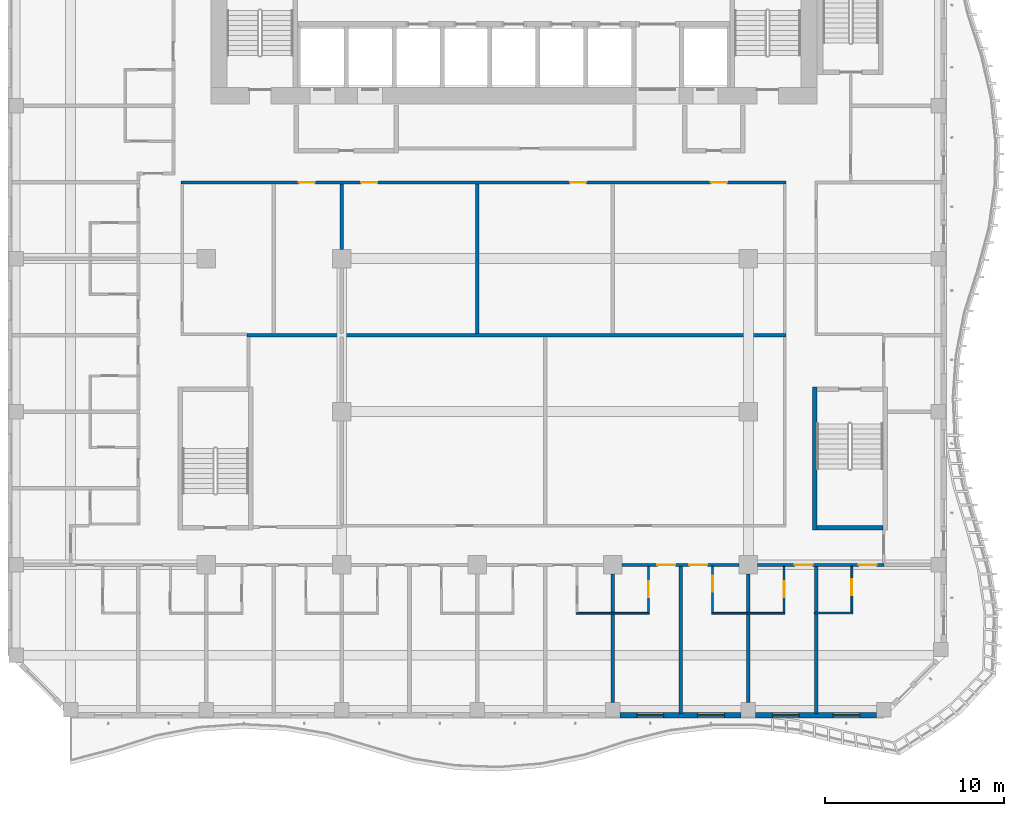
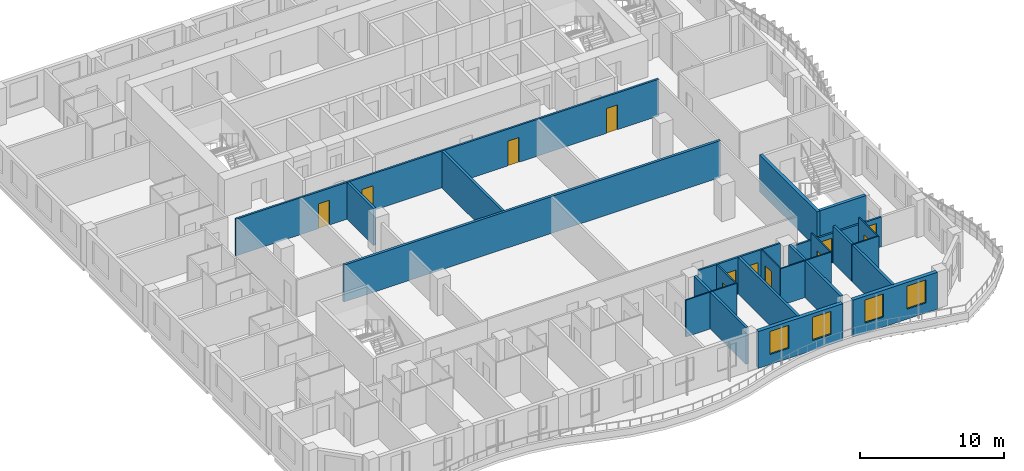
# One storey, part 5 of 24: 24 walls, 12 doors, 4 windows, 16 openings.
"""IFC4 building model written with IfcOpenShell, lengths in metres."""

from ifc_helpers import new_model, si_unit, direction, frame, frame_2d, origin, place, context, subcontext, project, spatial, rectangle, extrude, source, transform, mapped, material, layer, layer_set, type_object, element, fill, save


model = new_model("IFC4")

# Units and contexts
model_context = context("Model", 3, precision=1e-05, world=origin(), true_north=direction((0.0, 1.0)))
body_context = subcontext(model_context, "Body", "Model", "MODEL_VIEW")
ifc_project = project(units=[si_unit("LENGTHUNIT", "METRE"), si_unit("AREAUNIT", "SQUARE_METRE"), si_unit("VOLUMEUNIT", "CUBIC_METRE"), si_unit("PLANEANGLEUNIT", "RADIAN"), si_unit("MASSUNIT", "GRAM", prefix="KILO")], contexts=[model_context])

# Site, building, storey
site_placement = place(None, origin())
site = spatial("IfcSite", under=ifc_project, at=site_placement, CompositionType="ELEMENT")
building_placement = place(site_placement, origin())
building = spatial("IfcBuilding", under=site, at=building_placement, Name="Kilnfold Tower and Market Hall", CompositionType="ELEMENT")
storey_placement = place(building_placement, frame((0.0, 0.0, 175.300048828125)))
storey = spatial("IfcBuildingStorey", under=building, at=storey_placement, Name="L41", CompositionType="ELEMENT", Elevation=175.300048828125)

# Wall, openings, doors
ifc_material_1 = material(Name="Gypsum board on steel studs", Category="steel")
ifc_layer_1 = layer(ifc_material_1, 0.14990234375)
ifc_layer_set_1 = layer_set([ifc_layer_1], Name="Gypsum board on steel studs")
wall_type_1 = type_object("IfcWallType", Name="WALL CORRIDOR 150", PredefinedType="PARTITIONING", material=ifc_layer_set_1)
wall_1_placement = place(storey_placement, frame((7.10791015625, -17.699951171875, 0.0), z_axis=(0.0, 0.0, 1.0), x_axis=(1.0, 0.0, 0.0)))
wall_1 = element("IfcWall", 1, at=wall_1_placement, inside=storey, type_object=wall_type_1, Name="Partition LY26.5", PredefinedType="PARTITIONING", context=body_context, shape_type="SweptSolid", body=[
    extrude(rectangle(XDim=6.5341796875, YDim=0.14990234375, at=frame_2d((3.26708984375, 0.0))), origin(), (0.0, 0.0, 1.0), 3.119873046875),
])
opening_1_placement = place(wall_1_placement, frame((1.97412109375, 0.0, 0.0)))
opening_1 = element("IfcOpeningElement", 2, at=opening_1_placement, cuts=wall_1, Name="Opening D1", PredefinedType="OPENING", context=body_context, shape_type="SweptSolid", body=[
    extrude(rectangle(XDim=1.0, YDim=2.10009765625, at=frame_2d((0.5, 1.050048828125))), frame((0.0, 0.0849609375, 0.0), z_axis=(0.0, -1.0, 0.0), x_axis=(1.0, 0.0, 0.0)), (0.0, 0.0, 1.0), 0.169921875),
])
opening_2_placement = place(wall_1_placement, frame((3.76611328125, 0.0, 0.0)))
opening_2 = element("IfcOpeningElement", 3, at=opening_2_placement, cuts=wall_1, Name="Opening D1", PredefinedType="OPENING", context=body_context, shape_type="SweptSolid", body=[
    extrude(rectangle(XDim=1.0, YDim=2.10009765625, at=frame_2d((0.5, 1.050048828125))), frame((0.0, 0.0849609375, 0.0), z_axis=(0.0, -1.0, 0.0), x_axis=(1.0, 0.0, 0.0)), (0.0, 0.0, 1.0), 0.169921875),
])
ifc_material_2 = material(Name="Timber veneer door leaf in steel frame", Category="steel")
door_type_1 = type_object("IfcDoorType", Name="DOOR ENTRY 1000 X2100", OperationType="NOTDEFINED", PredefinedType="DOOR", material=ifc_material_2)
door_1_placement = place(opening_1_placement, origin())
door_1 = element("IfcDoor", 4, at=door_1_placement, inside=storey, type_object=door_type_1, Name="Door D1", OperationType="SINGLE_SWING_RIGHT", OverallHeight=2.10009765625, OverallWidth=1.0, PredefinedType="DOOR", context=body_context, shape_type="SweptSolid", body=[
    extrude(rectangle(XDim=1.0, YDim=2.10009765625, at=frame_2d((0.5, 1.050048828125))), frame((0.0, 0.02490234375, 0.0), z_axis=(0.0, -1.0, 0.0), x_axis=(1.0, 0.0, 0.0)), (0.0, 0.0, 1.0), 0.050048828125),
])
fill(opening_1, door_1)
door_2_placement = place(opening_2_placement, origin())
door_2 = element("IfcDoor", 5, at=door_2_placement, inside=storey, type_object=door_type_1, Name="Door D1", OperationType="SINGLE_SWING_RIGHT", OverallHeight=2.10009765625, OverallWidth=1.0, PredefinedType="DOOR", context=body_context, shape_type="SweptSolid", body=[
    extrude(rectangle(XDim=1.0, YDim=2.10009765625, at=frame_2d((0.5, 1.050048828125))), frame((0.0, 0.02490234375, 0.0), z_axis=(0.0, -1.0, 0.0), x_axis=(1.0, 0.0, 0.0)), (0.0, 0.0, 1.0), 0.050048828125),
])
fill(opening_2, door_2)

wall_2_placement = place(storey_placement, frame((14.69189453125, -17.699951171875, 0.0), z_axis=(0.0, 0.0, 1.0), x_axis=(1.0, 0.0, 0.0)))
wall_2 = element("IfcWall", 6, at=wall_2_placement, inside=storey, type_object=wall_type_1, Name="Partition LY26.6", PredefinedType="PARTITIONING", context=body_context, shape_type="SweptSolid", body=[
    extrude(rectangle(XDim=7.05810546875, YDim=0.14990234375, at=frame_2d((3.529052734375, 0.0))), origin(), (0.0, 0.0, 1.0), 2.52001953125),
])
opening_3_placement = place(wall_2_placement, frame((2.076904296875, 0.0, 0.0)))
opening_3 = element("IfcOpeningElement", 7, at=opening_3_placement, cuts=wall_2, Name="Opening D1", PredefinedType="OPENING", context=body_context, shape_type="SweptSolid", body=[
    extrude(rectangle(XDim=1.0, YDim=2.10009765625, at=frame_2d((0.5, 1.050048828125))), frame((0.0, 0.0849609375, 0.0), z_axis=(0.0, -1.0, 0.0), x_axis=(1.0, 0.0, 0.0)), (0.0, 0.0, 1.0), 0.169921875),
])
opening_4_placement = place(wall_2_placement, frame((5.656982421875, 0.0, 0.0)))
opening_4 = element("IfcOpeningElement", 8, at=opening_4_placement, cuts=wall_2, Name="Opening D1", PredefinedType="OPENING", context=body_context, shape_type="SweptSolid", body=[
    extrude(rectangle(XDim=1.0, YDim=2.10009765625, at=frame_2d((0.5, 1.050048828125))), frame((0.0, 0.0849609375, 0.0), z_axis=(0.0, -1.0, 0.0), x_axis=(1.0, 0.0, 0.0)), (0.0, 0.0, 1.0), 0.169921875),
])
door_3_placement = place(opening_3_placement, origin())
door_3 = element("IfcDoor", 9, at=door_3_placement, inside=storey, type_object=door_type_1, Name="Door D1", OperationType="SINGLE_SWING_LEFT", OverallHeight=2.10009765625, OverallWidth=1.0, PredefinedType="DOOR", context=body_context, shape_type="SweptSolid", body=[
    extrude(rectangle(XDim=1.0, YDim=2.10009765625, at=frame_2d((0.5, 1.050048828125))), frame((0.0, 0.02490234375, 0.0), z_axis=(0.0, -1.0, 0.0), x_axis=(1.0, 0.0, 0.0)), (0.0, 0.0, 1.0), 0.050048828125),
])
fill(opening_3, door_3)
door_4_placement = place(opening_4_placement, origin())
door_4 = element("IfcDoor", 10, at=door_4_placement, inside=storey, type_object=door_type_1, Name="Door D1", OperationType="SINGLE_SWING_LEFT", OverallHeight=2.10009765625, OverallWidth=1.0, PredefinedType="DOOR", context=body_context, shape_type="SweptSolid", body=[
    extrude(rectangle(XDim=1.0, YDim=2.10009765625, at=frame_2d((0.5, 1.050048828125))), frame((0.0, 0.02490234375, 0.0), z_axis=(0.0, -1.0, 0.0), x_axis=(1.0, 0.0, 0.0)), (0.0, 0.0, 1.0), 0.050048828125),
])
fill(opening_4, door_4)

wall_3_placement = place(storey_placement, frame((-17.574951171875, 3.699951171875, 0.0), z_axis=(0.0, 0.0, 1.0), x_axis=(1.0, 0.0, 0.0)))
wall_3 = element("IfcWall", 11, at=wall_3_placement, inside=storey, type_object=wall_type_1, Name="Partition LY26.42", PredefinedType="PARTITIONING", context=body_context, shape_type="SweptSolid", body=[
    extrude(rectangle(XDim=33.849853515625, YDim=0.14990234375, at=frame_2d((16.9248046875, 0.0))), origin(), (0.0, 0.0, 1.0), 3.119873046875),
])
opening_5_placement = place(wall_3_placement, frame((6.595947265625, 0.0, 0.0)))
opening_5 = element("IfcOpeningElement", 12, at=opening_5_placement, cuts=wall_3, Name="Opening D2", PredefinedType="OPENING", context=body_context, shape_type="SweptSolid", body=[
    extrude(rectangle(XDim=0.89990234375, YDim=2.10009765625, at=frame_2d((0.449951171875, 1.050048828125))), frame((0.0, 0.0849609375, 0.0), z_axis=(0.0, -1.0, 0.0), x_axis=(1.0, 0.0, 0.0)), (0.0, 0.0, 1.0), 0.169921875),
])
opening_6_placement = place(wall_3_placement, frame((10.08203125, 0.0, 0.0)))
opening_6 = element("IfcOpeningElement", 13, at=opening_6_placement, cuts=wall_3, Name="Opening D2", PredefinedType="OPENING", context=body_context, shape_type="SweptSolid", body=[
    extrude(rectangle(XDim=0.89990234375, YDim=2.10009765625, at=frame_2d((0.449951171875, 1.050048828125))), frame((0.0, 0.0849609375, 0.0), z_axis=(0.0, -1.0, 0.0), x_axis=(1.0, 0.0, 0.0)), (0.0, 0.0, 1.0), 0.169921875),
])
opening_7_placement = place(wall_3_placement, frame((21.76708984375, 0.0, 0.0)))
opening_7 = element("IfcOpeningElement", 14, at=opening_7_placement, cuts=wall_3, Name="Opening D2", PredefinedType="OPENING", context=body_context, shape_type="SweptSolid", body=[
    extrude(rectangle(XDim=0.89990234375, YDim=2.10009765625, at=frame_2d((0.449951171875, 1.050048828125))), frame((0.0, 0.0849609375, 0.0), z_axis=(0.0, -1.0, 0.0), x_axis=(1.0, 0.0, 0.0)), (0.0, 0.0, 1.0), 0.169921875),
])
opening_8_placement = place(wall_3_placement, frame((29.64892578125, 0.0, 0.0)))
opening_8 = element("IfcOpeningElement", 15, at=opening_8_placement, cuts=wall_3, Name="Opening D2", PredefinedType="OPENING", context=body_context, shape_type="SweptSolid", body=[
    extrude(rectangle(XDim=0.89990234375, YDim=2.10009765625, at=frame_2d((0.449951171875, 1.050048828125))), frame((0.0, 0.0849609375, 0.0), z_axis=(0.0, -1.0, 0.0), x_axis=(1.0, 0.0, 0.0)), (0.0, 0.0, 1.0), 0.169921875),
])
ifc_material_3 = material(Name="Timber veneer door leaf in steel frame", Category="steel")
door_type_2 = type_object("IfcDoorType", Name="DOOR ROOM 900 X2100", OperationType="NOTDEFINED", PredefinedType="DOOR", material=ifc_material_3)
door_5_placement = place(opening_5_placement, origin())
door_5 = element("IfcDoor", 16, at=door_5_placement, inside=storey, type_object=door_type_2, Name="Door D2", OperationType="SINGLE_SWING_LEFT", OverallHeight=2.10009765625, OverallWidth=0.89990234375, PredefinedType="DOOR", context=body_context, shape_type="SweptSolid", body=[
    extrude(rectangle(XDim=0.89990234375, YDim=2.10009765625, at=frame_2d((0.449951171875, 1.050048828125))), frame((0.0, 0.02490234375, 0.0), z_axis=(0.0, -1.0, 0.0), x_axis=(1.0, 0.0, 0.0)), (0.0, 0.0, 1.0), 0.050048828125),
])
fill(opening_5, door_5)
door_6_placement = place(opening_6_placement, origin())
door_6 = element("IfcDoor", 17, at=door_6_placement, inside=storey, type_object=door_type_2, Name="Door D2", OperationType="SINGLE_SWING_RIGHT", OverallHeight=2.10009765625, OverallWidth=0.89990234375, PredefinedType="DOOR", context=body_context, shape_type="SweptSolid", body=[
    extrude(rectangle(XDim=0.89990234375, YDim=2.10009765625, at=frame_2d((0.449951171875, 1.050048828125))), frame((0.0, 0.02490234375, 0.0), z_axis=(0.0, -1.0, 0.0), x_axis=(1.0, 0.0, 0.0)), (0.0, 0.0, 1.0), 0.050048828125),
])
fill(opening_6, door_6)
door_7_placement = place(opening_7_placement, origin())
door_7 = element("IfcDoor", 18, at=door_7_placement, inside=storey, type_object=door_type_2, Name="Door D2", OperationType="SINGLE_SWING_LEFT", OverallHeight=2.10009765625, OverallWidth=0.89990234375, PredefinedType="DOOR", context=body_context, shape_type="SweptSolid", body=[
    extrude(rectangle(XDim=0.89990234375, YDim=2.10009765625, at=frame_2d((0.449951171875, 1.050048828125))), frame((0.0, 0.02490234375, 0.0), z_axis=(0.0, -1.0, 0.0), x_axis=(1.0, 0.0, 0.0)), (0.0, 0.0, 1.0), 0.050048828125),
])
fill(opening_7, door_7)
door_8_placement = place(opening_8_placement, origin())
door_8 = element("IfcDoor", 19, at=door_8_placement, inside=storey, type_object=door_type_2, Name="Door D2", OperationType="SINGLE_SWING_RIGHT", OverallHeight=2.10009765625, OverallWidth=0.89990234375, PredefinedType="DOOR", context=body_context, shape_type="SweptSolid", body=[
    extrude(rectangle(XDim=0.89990234375, YDim=2.10009765625, at=frame_2d((0.449951171875, 1.050048828125))), frame((0.0, 0.02490234375, 0.0), z_axis=(0.0, -1.0, 0.0), x_axis=(1.0, 0.0, 0.0)), (0.0, 0.0, 1.0), 0.050048828125),
])
fill(opening_8, door_8)

# Wall
ifc_material_4 = material(Name="Gypsum board on steel studs", Category="steel")
ifc_layer_2 = layer(ifc_material_4, 0.10009765625)
ifc_layer_set_2 = layer_set([ifc_layer_2], Name="Gypsum board on steel studs")
wall_type_2 = type_object("IfcWallType", Name="WALL PARTITION 100", PredefinedType="PARTITIONING", material=ifc_layer_set_2)
wall_4_placement = place(storey_placement, frame((4.532958984375, -20.402099609375, 0.0), z_axis=(0.0, 0.0, 1.0), x_axis=(1.0, 0.0, 0.0)))
element("IfcWall", 20, at=wall_4_placement, inside=storey, type_object=wall_type_2, Name="Partition LY26.74", PredefinedType="PARTITIONING", context=body_context, shape_type="SweptSolid", body=[
    extrude(rectangle(XDim=4.10009765625, YDim=0.10009765625, at=frame_2d((2.050048828125, 0.0))), origin(), (0.0, 0.0, 1.0), 3.119873046875),
])

# Wall, opening, door
wall_5_placement = place(storey_placement, frame((8.5830078125, -17.777099609375, 0.0), z_axis=(0.0, 0.0, 1.0), x_axis=(0.0, -1.0, 0.0)))
wall_5 = element("IfcWall", 21, at=wall_5_placement, inside=storey, type_object=wall_type_2, Name="Partition LY26.77", PredefinedType="PARTITIONING", context=body_context, shape_type="SweptSolid", body=[
    extrude(rectangle(XDim=2.574951171875, YDim=0.10009765625, at=frame_2d((1.28759765625, 0.0))), origin(), (0.0, 0.0, 1.0), 3.119873046875),
])
opening_9_placement = place(wall_5_placement, frame((0.8369140625, 0.0, 0.0)))
opening_9 = element("IfcOpeningElement", 22, at=opening_9_placement, cuts=wall_5, Name="Opening D3", PredefinedType="OPENING", context=body_context, shape_type="SweptSolid", body=[
    extrude(rectangle(XDim=0.89990234375, YDim=2.10009765625, at=frame_2d((0.449951171875, 1.050048828125))), frame((0.0, 0.06005859375, 0.0), z_axis=(0.0, -1.0, 0.0), x_axis=(1.0, 0.0, 0.0)), (0.0, 0.0, 1.0), 0.1201171875),
])
ifc_material_5 = material(Name="Timber veneer door leaf in steel frame", Category="steel")
door_type_3 = type_object("IfcDoorType", Name="DOOR WC 900 X2100", OperationType="NOTDEFINED", PredefinedType="DOOR", material=ifc_material_5)
door_9_placement = place(opening_9_placement, origin())
door_9 = element("IfcDoor", 23, at=door_9_placement, inside=storey, type_object=door_type_3, Name="Door D3", OperationType="SINGLE_SWING_LEFT", OverallHeight=2.10009765625, OverallWidth=0.89990234375, PredefinedType="DOOR", context=body_context, shape_type="SweptSolid", body=[
    extrude(rectangle(XDim=0.89990234375, YDim=2.10009765625, at=frame_2d((0.449951171875, 1.050048828125))), frame((0.0, 0.02490234375, 0.0), z_axis=(0.0, -1.0, 0.0), x_axis=(1.0, 0.0, 0.0)), (0.0, 0.0, 1.0), 0.050048828125),
])
fill(opening_9, door_9)

wall_6_placement = place(storey_placement, frame((12.1669921875, -20.35205078125, 0.0), z_axis=(0.0, 0.0, 1.0), x_axis=(0.0, 1.0, 0.0)))
wall_6 = element("IfcWall", 24, at=wall_6_placement, inside=storey, type_object=wall_type_2, Name="Partition LY26.79", PredefinedType="PARTITIONING", context=body_context, shape_type="SweptSolid", body=[
    extrude(rectangle(XDim=2.574951171875, YDim=0.10009765625, at=frame_2d((1.28759765625, 0.0))), origin(), (0.0, 0.0, 1.0), 3.119873046875),
])
opening_10_placement = place(wall_6_placement, frame((1.156005859375, 0.0, 0.0)))
opening_10 = element("IfcOpeningElement", 25, at=opening_10_placement, cuts=wall_6, Name="Opening D3", PredefinedType="OPENING", context=body_context, shape_type="SweptSolid", body=[
    extrude(rectangle(XDim=0.89990234375, YDim=2.10009765625, at=frame_2d((0.449951171875, 1.050048828125))), frame((0.0, 0.06005859375, 0.0), z_axis=(0.0, -1.0, 0.0), x_axis=(1.0, 0.0, 0.0)), (0.0, 0.0, 1.0), 0.1201171875),
])
door_10_placement = place(opening_10_placement, origin())
door_10 = element("IfcDoor", 26, at=door_10_placement, inside=storey, type_object=door_type_3, Name="Door D3", OperationType="SINGLE_SWING_RIGHT", OverallHeight=2.10009765625, OverallWidth=0.89990234375, PredefinedType="DOOR", context=body_context, shape_type="SweptSolid", body=[
    extrude(rectangle(XDim=0.89990234375, YDim=2.10009765625, at=frame_2d((0.449951171875, 1.050048828125))), frame((0.0, 0.02490234375, 0.0), z_axis=(0.0, -1.0, 0.0), x_axis=(1.0, 0.0, 0.0)), (0.0, 0.0, 1.0), 0.050048828125),
])
fill(opening_10, door_10)

# Wall
wall_7_placement = place(storey_placement, frame((12.116943359375, -20.402099609375, 0.0), z_axis=(0.0, 0.0, 1.0), x_axis=(1.0, 0.0, 0.0)))
element("IfcWall", 27, at=wall_7_placement, inside=storey, type_object=wall_type_2, Name="Partition LY26.80", PredefinedType="PARTITIONING", context=body_context, shape_type="SweptSolid", body=[
    extrude(rectangle(XDim=4.10009765625, YDim=0.10009765625, at=frame_2d((2.050048828125, 0.0))), origin(), (0.0, 0.0, 1.0), 3.119873046875),
])

# Wall, opening, door
wall_8_placement = place(storey_placement, frame((16.1669921875, -17.777099609375, 0.0), z_axis=(0.0, 0.0, 1.0), x_axis=(0.0, -1.0, 0.0)))
wall_8 = element("IfcWall", 28, at=wall_8_placement, inside=storey, type_object=wall_type_2, Name="Partition LY26.83", PredefinedType="PARTITIONING", context=body_context, shape_type="SweptSolid", body=[
    extrude(rectangle(XDim=2.574951171875, YDim=0.10009765625, at=frame_2d((1.28759765625, 0.0))), origin(), (0.0, 0.0, 1.0), 3.119873046875),
])
opening_11_placement = place(wall_8_placement, frame((0.8369140625, 0.0, 0.0)))
opening_11 = element("IfcOpeningElement", 29, at=opening_11_placement, cuts=wall_8, Name="Opening D3", PredefinedType="OPENING", context=body_context, shape_type="SweptSolid", body=[
    extrude(rectangle(XDim=0.89990234375, YDim=2.10009765625, at=frame_2d((0.449951171875, 1.050048828125))), frame((0.0, 0.06005859375, 0.0), z_axis=(0.0, -1.0, 0.0), x_axis=(1.0, 0.0, 0.0)), (0.0, 0.0, 1.0), 0.1201171875),
])
door_11_placement = place(opening_11_placement, origin())
door_11 = element("IfcDoor", 30, at=door_11_placement, inside=storey, type_object=door_type_3, Name="Door D3", OperationType="SINGLE_SWING_LEFT", OverallHeight=2.10009765625, OverallWidth=0.89990234375, PredefinedType="DOOR", context=body_context, shape_type="SweptSolid", body=[
    extrude(rectangle(XDim=0.89990234375, YDim=2.10009765625, at=frame_2d((0.449951171875, 1.050048828125))), frame((0.0, 0.02490234375, 0.0), z_axis=(0.0, -1.0, 0.0), x_axis=(1.0, 0.0, 0.0)), (0.0, 0.0, 1.0), 0.050048828125),
])
fill(opening_11, door_11)

# Wall
wall_9_placement = place(storey_placement, frame((17.85888671875, -20.387939453125, 0.0), z_axis=(0.0, 0.0, 1.0), x_axis=(1.0, 0.0, 0.0)))
element("IfcWall", 31, at=wall_9_placement, inside=storey, type_object=wall_type_2, Name="Partition LY26.86", PredefinedType="PARTITIONING", context=body_context, shape_type="SweptSolid", body=[
    extrude(rectangle(XDim=2.150146484375, YDim=0.10009765625, at=frame_2d((1.0751953125, 0.0))), origin(), (0.0, 0.0, 1.0), 3.119873046875),
])

# Wall, opening, door
wall_10_placement = place(storey_placement, frame((19.958984375, -17.777099609375, 0.0), z_axis=(0.0, 0.0, 1.0), x_axis=(0.0, -1.0, 0.0)))
wall_10 = element("IfcWall", 32, at=wall_10_placement, inside=storey, type_object=wall_type_2, Name="Partition LY26.87", PredefinedType="PARTITIONING", context=body_context, shape_type="SweptSolid", body=[
    extrude(rectangle(XDim=2.560791015625, YDim=0.10009765625, at=frame_2d((1.2802734375, 0.0))), origin(), (0.0, 0.0, 1.0), 3.119873046875),
])
opening_12_placement = place(wall_10_placement, frame((0.72509765625, 0.0, 0.0)))
opening_12 = element("IfcOpeningElement", 33, at=opening_12_placement, cuts=wall_10, Name="Opening D3", PredefinedType="OPENING", context=body_context, shape_type="SweptSolid", body=[
    extrude(rectangle(XDim=0.89990234375, YDim=2.10009765625, at=frame_2d((0.449951171875, 1.050048828125))), frame((0.0, 0.06005859375, 0.0), z_axis=(0.0, -1.0, 0.0), x_axis=(1.0, 0.0, 0.0)), (0.0, 0.0, 1.0), 0.1201171875),
])
door_12_placement = place(opening_12_placement, origin())
door_12 = element("IfcDoor", 34, at=door_12_placement, inside=storey, type_object=door_type_3, Name="Door D3", OperationType="SINGLE_SWING_RIGHT", OverallHeight=2.10009765625, OverallWidth=0.89990234375, PredefinedType="DOOR", context=body_context, shape_type="SweptSolid", body=[
    extrude(rectangle(XDim=0.89990234375, YDim=2.10009765625, at=frame_2d((0.449951171875, 1.050048828125))), frame((0.0, 0.02490234375, 0.0), z_axis=(0.0, -1.0, 0.0), x_axis=(1.0, 0.0, 0.0)), (0.0, 0.0, 1.0), 0.050048828125),
])
fill(opening_12, door_12)

# Walls
ifc_material_6 = material(Name="Gypsum board on steel studs", Category="steel")
ifc_layer_3 = layer(ifc_material_6, 0.199951171875)
ifc_layer_set_3 = layer_set([ifc_layer_3], Name="Gypsum board on steel studs")
wall_type_3 = type_object("IfcWallType", Name="WALL PARTY 200", PredefinedType="PARTITIONING", material=ifc_layer_set_3)
wall_11_placement = place(storey_placement, frame((6.5830078125, -25.39990234375, 0.0), z_axis=(0.0, 0.0, 1.0), x_axis=(0.0, 1.0, 0.0)))
element("IfcWall", 35, at=wall_11_placement, inside=storey, type_object=wall_type_3, Name="Partition LY26.75", PredefinedType="PARTITIONING", context=body_context, shape_type="SweptSolid", body=[
    extrude(rectangle(XDim=4.947998046875, YDim=0.199951171875, at=frame_2d((2.47412109375, 0.0))), origin(), (0.0, 0.0, 1.0), 3.119873046875),
])
wall_12_placement = place(storey_placement, frame((6.5830078125, -20.35205078125, 0.0), z_axis=(0.0, 0.0, 1.0), x_axis=(0.0, 1.0, 0.0)))
element("IfcWall", 36, at=wall_12_placement, inside=storey, type_object=wall_type_3, Name="Partition LY26.76", PredefinedType="PARTITIONING", context=body_context, shape_type="SweptSolid", body=[
    extrude(rectangle(XDim=2.14013671875, YDim=0.199951171875, at=frame_2d((1.070068359375, 0.0))), origin(), (0.0, 0.0, 1.0), 3.119873046875),
])
wall_13_placement = place(storey_placement, frame((10.375, -26.0, 0.0), z_axis=(0.0, 0.0, 1.0), x_axis=(0.0, 1.0, 0.0)))
element("IfcWall", 37, at=wall_13_placement, inside=storey, type_object=wall_type_3, Name="Partition LY26.78", PredefinedType="PARTITIONING", context=body_context, shape_type="SweptSolid", body=[
    extrude(rectangle(XDim=8.222900390625, YDim=0.199951171875, at=frame_2d((4.111328125, 0.0))), origin(), (0.0, 0.0, 1.0), 3.119873046875),
])
wall_14_placement = place(storey_placement, frame((14.1669921875, -25.39990234375, 0.0), z_axis=(0.0, 0.0, 1.0), x_axis=(0.0, 1.0, 0.0)))
element("IfcWall", 38, at=wall_14_placement, inside=storey, type_object=wall_type_3, Name="Partition LY26.81", PredefinedType="PARTITIONING", context=body_context, shape_type="SweptSolid", body=[
    extrude(rectangle(XDim=4.947998046875, YDim=0.199951171875, at=frame_2d((2.47412109375, 0.0))), origin(), (0.0, 0.0, 1.0), 3.119873046875),
])
wall_15_placement = place(storey_placement, frame((14.1669921875, -20.35205078125, 0.0), z_axis=(0.0, 0.0, 1.0), x_axis=(0.0, 1.0, 0.0)))
element("IfcWall", 39, at=wall_15_placement, inside=storey, type_object=wall_type_3, Name="Partition LY26.82", PredefinedType="PARTITIONING", context=body_context, shape_type="SweptSolid", body=[
    extrude(rectangle(XDim=2.14013671875, YDim=0.199951171875, at=frame_2d((1.070068359375, 0.0))), origin(), (0.0, 0.0, 1.0), 3.119873046875),
])
wall_16_placement = place(storey_placement, frame((17.958984375, -26.0, 0.0), z_axis=(0.0, 0.0, 1.0), x_axis=(0.0, 1.0, 0.0)))
element("IfcWall", 40, at=wall_16_placement, inside=storey, type_object=wall_type_3, Name="Partition LY26.84", PredefinedType="PARTITIONING", context=body_context, shape_type="SweptSolid", body=[
    extrude(rectangle(XDim=5.572021484375, YDim=0.199951171875, at=frame_2d((2.7861328125, 0.0))), origin(), (0.0, 0.0, 1.0), 3.119873046875),
])
wall_17_placement = place(storey_placement, frame((17.958984375, -20.347900390625, 0.0), z_axis=(0.0, 0.0, 1.0), x_axis=(0.0, 1.0, 0.0)))
element("IfcWall", 41, at=wall_17_placement, inside=storey, type_object=wall_type_3, Name="Partition LY26.85", PredefinedType="PARTITIONING", context=body_context, shape_type="SweptSolid", body=[
    extrude(rectangle(XDim=2.57080078125, YDim=0.199951171875, at=frame_2d((1.285400390625, 0.0))), origin(), (0.0, 0.0, 1.0), 3.119873046875),
])
wall_18_placement = place(storey_placement, frame((-13.873046875, -4.843017578125, 0.0), z_axis=(0.0, 0.0, 1.0), x_axis=(1.0, 0.0, 0.0)))
element("IfcWall", 42, at=wall_18_placement, inside=storey, type_object=wall_type_3, Name="Partition LY26.135", PredefinedType="PARTITIONING", context=body_context, shape_type="SweptSolid", body=[
    extrude(rectangle(XDim=30.14599609375, YDim=0.199951171875, at=frame_2d((15.072998046875, 0.0))), origin(), (0.0, 0.0, 1.0), 3.119873046875),
])
wall_19_placement = place(storey_placement, frame((-8.5830078125, -0.037109375, 0.0), z_axis=(0.0, 0.0, 1.0), x_axis=(0.0, 1.0, 0.0)))
element("IfcWall", 43, at=wall_19_placement, inside=storey, type_object=wall_type_3, Name="Partition LY26.136", PredefinedType="PARTITIONING", context=body_context, shape_type="SweptSolid", body=[
    extrude(rectangle(XDim=3.66015625, YDim=0.199951171875, at=frame_2d((1.830078125, 0.0))), origin(), (0.0, 0.0, 1.0), 3.119873046875),
])
wall_20_placement = place(storey_placement, frame((-1.0, -4.742919921875, 0.0), z_axis=(0.0, 0.0, 1.0), x_axis=(0.0, 1.0, 0.0)))
element("IfcWall", 44, at=wall_20_placement, inside=storey, type_object=wall_type_3, Name="Partition LY26.138", PredefinedType="PARTITIONING", context=body_context, shape_type="SweptSolid", body=[
    extrude(rectangle(XDim=8.365966796875, YDim=0.199951171875, at=frame_2d((4.18310546875, 0.0))), origin(), (0.0, 0.0, 1.0), 3.119873046875),
])
ifc_material_7 = material(Name="Concrete C70", Category="concrete")
ifc_layer_4 = layer(ifc_material_7, 0.25)
ifc_layer_set_4 = layer_set([ifc_layer_4], Name="Concrete C70")
wall_type_4 = type_object("IfcWallType", Name="CORE WALL 250 C70", PredefinedType="SHEAR", material=ifc_layer_set_4)
shared_shape_1 = source(origin(), body_context, "Body", "SweptSolid", [
    extrude(rectangle(XDim=3.699951171875, YDim=0.25, at=frame_2d((1.85009765625, 0.0))), origin(), (0.0, 0.0, 1.0), 3.119873046875),
])
wall_21_placement = place(storey_placement, frame((18.0, -15.625, 0.0), z_axis=(0.0, 0.0, 1.0), x_axis=(1.0, 0.0, 0.0)))
element("IfcWall", 45, at=wall_21_placement, inside=storey, type_object=wall_type_4, Name="Stair enclosure ST4", PredefinedType="SHEAR", context=body_context, shape_type="MappedRepresentation", body=[
    mapped(shared_shape_1, transform((0.0, 0.0, 0.0))),
])
shared_shape_2 = source(origin(), body_context, "Body", "SweptSolid", [
    extrude(rectangle(XDim=8.0, YDim=0.25, at=frame_2d((4.0, 0.0))), origin(), (0.0, 0.0, 1.0), 3.119873046875),
])
wall_22_placement = place(storey_placement, frame((17.875, -15.75, 0.0), z_axis=(0.0, 0.0, 1.0), x_axis=(0.0, 1.0, 0.0)))
element("IfcWall", 46, at=wall_22_placement, inside=storey, type_object=wall_type_4, Name="Stair enclosure ST4", PredefinedType="SHEAR", context=body_context, shape_type="MappedRepresentation", body=[
    mapped(shared_shape_2, transform((0.0, 0.0, 0.0))),
])

# Wall, openings, windows
ifc_material_8 = material(Name="Precast concrete C50/60", Category="concrete")
ifc_layer_5 = layer(ifc_material_8, 0.300048828125)
ifc_layer_set_5 = layer_set([ifc_layer_5], Name="Precast concrete C50/60")
wall_type_5 = type_object("IfcWallType", Name="PRECAST WALL 300", PredefinedType="SOLIDWALL", material=ifc_layer_set_5)
shared_shape_3 = source(origin(), body_context, "Body", "SweptSolid", [
    extrude(rectangle(XDim=6.783447265625, YDim=0.300048828125, at=frame_2d((3.3916015625, 0.0))), origin(), (0.0, 0.0, 1.0), 3.119873046875),
])
wall_23_placement = place(storey_placement, frame((14.566650390625, -26.10009765625, 0.0), z_axis=(0.0, 0.0, 1.0), x_axis=(1.0, 0.0, 0.0)))
wall_23 = element("IfcWall", 47, at=wall_23_placement, inside=storey, type_object=wall_type_5, Name="External wall L41 S", PredefinedType="SOLIDWALL", context=body_context, shape_type="MappedRepresentation", body=[
    mapped(shared_shape_3, transform((0.0, 0.0, 0.0))),
])
opening_13_placement = place(wall_23_placement, frame((0.94580078125, 0.0, 0.85009765625)))
opening_13 = element("IfcOpeningElement", 48, at=opening_13_placement, cuts=wall_23, Name="Opening W4", PredefinedType="OPENING", context=body_context, shape_type="SweptSolid", body=[
    extrude(rectangle(XDim=1.5, YDim=1.949951171875, at=frame_2d((0.75, 0.97509765625))), frame((0.0, 0.16015625, 0.0), z_axis=(0.0, -1.0, 0.0), x_axis=(1.0, 0.0, 0.0)), (0.0, 0.0, 1.0), 0.320068359375),
])
opening_14_placement = place(wall_23_placement, frame((4.33740234375, 0.0, 0.85009765625)))
opening_14 = element("IfcOpeningElement", 49, at=opening_14_placement, cuts=wall_23, Name="Opening W4", PredefinedType="OPENING", context=body_context, shape_type="SweptSolid", body=[
    extrude(rectangle(XDim=1.5, YDim=1.949951171875, at=frame_2d((0.75, 0.97509765625))), frame((0.0, 0.16015625, 0.0), z_axis=(0.0, -1.0, 0.0), x_axis=(1.0, 0.0, 0.0)), (0.0, 0.0, 1.0), 0.320068359375),
])
ifc_material_9 = material(Name="Aluminium frame and double glazing", Category="aluminium")
window_type = type_object("IfcWindowType", Name="WINDOW W4 1500X1950", PartitioningType="SINGLE_PANEL", PredefinedType="WINDOW", material=ifc_material_9)
window_1_placement = place(opening_13_placement, origin())
window_1 = element("IfcWindow", 50, at=window_1_placement, inside=storey, type_object=window_type, Name="Window W4 L41 S-1", OverallHeight=1.949951171875, OverallWidth=1.5, PartitioningType="SINGLE_PANEL", PredefinedType="WINDOW", context=body_context, shape_type="SweptSolid", body=[
    extrude(rectangle(XDim=1.5, YDim=1.949951171875, at=frame_2d((0.75, 0.97509765625))), frame((0.0, 0.030029296875, 0.0), z_axis=(0.0, -1.0, 0.0), x_axis=(1.0, 0.0, 0.0)), (0.0, 0.0, 1.0), 0.06005859375),
])
fill(opening_13, window_1)
window_2_placement = place(opening_14_placement, origin())
window_2 = element("IfcWindow", 51, at=window_2_placement, inside=storey, type_object=window_type, Name="Window W4 L41 S-2", OverallHeight=1.949951171875, OverallWidth=1.5, PartitioningType="SINGLE_PANEL", PredefinedType="WINDOW", context=body_context, shape_type="SweptSolid", body=[
    extrude(rectangle(XDim=1.5, YDim=1.949951171875, at=frame_2d((0.75, 0.97509765625))), frame((0.0, 0.030029296875, 0.0), z_axis=(0.0, -1.0, 0.0), x_axis=(1.0, 0.0, 0.0)), (0.0, 0.0, 1.0), 0.06005859375),
])
fill(opening_14, window_2)

shared_shape_4 = source(origin(), body_context, "Body", "SweptSolid", [
    extrude(rectangle(XDim=6.783203125, YDim=0.300048828125, at=frame_2d((3.3916015625, 0.0))), origin(), (0.0, 0.0, 1.0), 3.119873046875),
])
wall_24_placement = place(storey_placement, frame((6.9833984375, -26.10009765625, 0.0), z_axis=(0.0, 0.0, 1.0), x_axis=(1.0, 0.0, 0.0)))
wall_24 = element("IfcWall", 52, at=wall_24_placement, inside=storey, type_object=wall_type_5, Name="External wall L41 S", PredefinedType="SOLIDWALL", context=body_context, shape_type="MappedRepresentation", body=[
    mapped(shared_shape_4, transform((0.0, 0.0, 0.0))),
])
opening_15_placement = place(wall_24_placement, frame((0.94580078125, 0.0, 0.85009765625)))
opening_15 = element("IfcOpeningElement", 53, at=opening_15_placement, cuts=wall_24, Name="Opening W4", PredefinedType="OPENING", context=body_context, shape_type="SweptSolid", body=[
    extrude(rectangle(XDim=1.5, YDim=1.949951171875, at=frame_2d((0.75, 0.97509765625))), frame((0.0, 0.16015625, 0.0), z_axis=(0.0, -1.0, 0.0), x_axis=(1.0, 0.0, 0.0)), (0.0, 0.0, 1.0), 0.320068359375),
])
opening_16_placement = place(wall_24_placement, frame((4.337646484375, 0.0, 0.85009765625)))
opening_16 = element("IfcOpeningElement", 54, at=opening_16_placement, cuts=wall_24, Name="Opening W4", PredefinedType="OPENING", context=body_context, shape_type="SweptSolid", body=[
    extrude(rectangle(XDim=1.5, YDim=1.949951171875, at=frame_2d((0.75, 0.97509765625))), frame((0.0, 0.16015625, 0.0), z_axis=(0.0, -1.0, 0.0), x_axis=(1.0, 0.0, 0.0)), (0.0, 0.0, 1.0), 0.320068359375),
])
window_3_placement = place(opening_15_placement, origin())
window_3 = element("IfcWindow", 55, at=window_3_placement, inside=storey, type_object=window_type, Name="Window W4 L41 S-1", OverallHeight=1.949951171875, OverallWidth=1.5, PartitioningType="SINGLE_PANEL", PredefinedType="WINDOW", context=body_context, shape_type="SweptSolid", body=[
    extrude(rectangle(XDim=1.5, YDim=1.949951171875, at=frame_2d((0.75, 0.97509765625))), frame((0.0, 0.030029296875, 0.0), z_axis=(0.0, -1.0, 0.0), x_axis=(1.0, 0.0, 0.0)), (0.0, 0.0, 1.0), 0.06005859375),
])
fill(opening_15, window_3)
window_4_placement = place(opening_16_placement, origin())
window_4 = element("IfcWindow", 56, at=window_4_placement, inside=storey, type_object=window_type, Name="Window W4 L41 S-2", OverallHeight=1.949951171875, OverallWidth=1.5, PartitioningType="SINGLE_PANEL", PredefinedType="WINDOW", context=body_context, shape_type="SweptSolid", body=[
    extrude(rectangle(XDim=1.5, YDim=1.949951171875, at=frame_2d((0.75, 0.97509765625))), frame((0.0, 0.030029296875, 0.0), z_axis=(0.0, -1.0, 0.0), x_axis=(1.0, 0.0, 0.0)), (0.0, 0.0, 1.0), 0.06005859375),
])
fill(opening_16, window_4)

save(model, "model.ifc")
